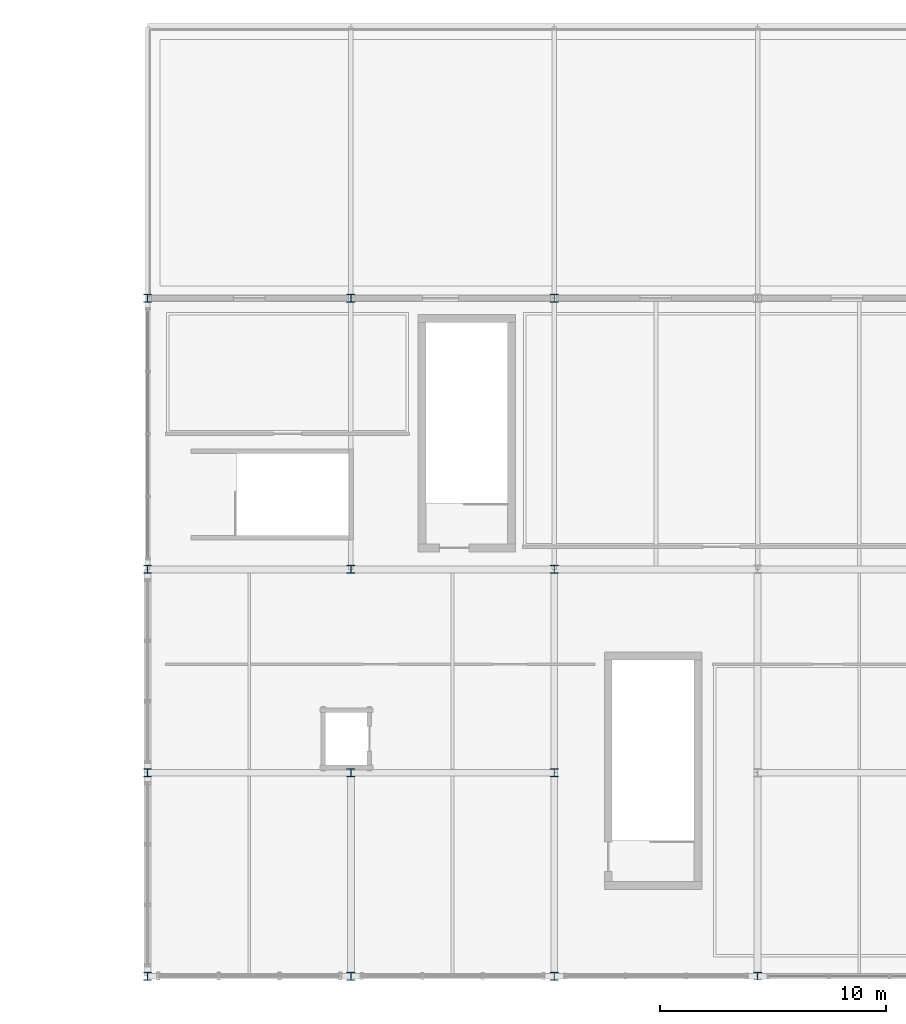
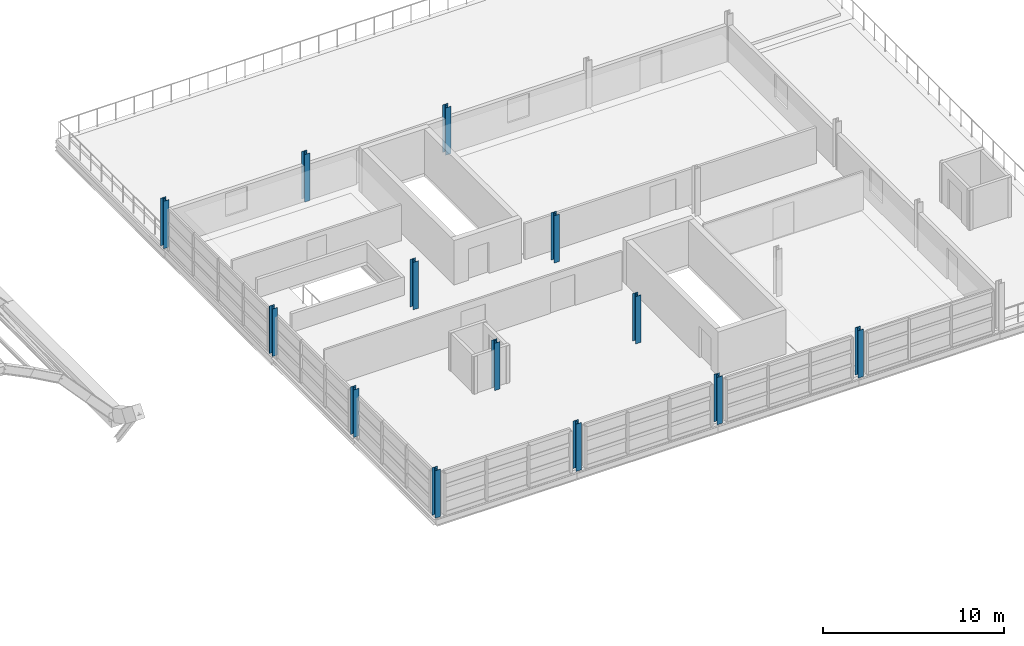
# One storey, part 2 of 86: 13 columns.
"""IFC4 building model written with IfcOpenShell, lengths in metres."""

from ifc_helpers import new_model, si_unit, direction, frame, origin, origin_2d, place, context, subcontext, project, spatial, i_section, extrude, material, material_profile, profile_set, type_object, element, save


model = new_model("IFC4")

# Units and contexts
model_context = context("Model", 3, precision=1e-05, world=origin(), true_north=direction((0.0, 1.0)))
body_context = subcontext(model_context, "Body", "Model", "MODEL_VIEW")
ifc_project = project(units=[si_unit("LENGTHUNIT", "METRE"), si_unit("AREAUNIT", "SQUARE_METRE"), si_unit("VOLUMEUNIT", "CUBIC_METRE"), si_unit("PLANEANGLEUNIT", "RADIAN"), si_unit("MASSUNIT", "GRAM", prefix="KILO")], contexts=[model_context])

# Site, building, storey
site_placement = place(None, origin())
site = spatial("IfcSite", under=ifc_project, at=site_placement, CompositionType="ELEMENT")
building_placement = place(site_placement, origin())
building = spatial("IfcBuilding", under=site, at=building_placement, Name="Chuanluo Vaults Station", CompositionType="ELEMENT")
storey_placement = place(building_placement, frame((0.0, 0.0, 14.39990234375)))
storey = spatial("IfcBuildingStorey", under=building, at=storey_placement, Name="L03", CompositionType="ELEMENT", Elevation=14.39990234375)

# Columns
ifc_material = material(Name="Steel Q355C", Category="steel")
ifc_material_profile = material_profile(ifc_material, i_section(OverallWidth=0.35009765625, OverallDepth=0.35009765625, WebThickness=0.011962890625, FlangeThickness=0.01904296875, FilletRadius=0.02001953125, at=origin_2d()))
ifc_profile_set = profile_set([ifc_material_profile], Name="Steel Q355C")
column_type = type_object("IfcColumnType", Name="COL-STL-HW350", PredefinedType="COLUMN", material=ifc_profile_set)
for number, where, z_axis, x_axis, name in (
    (1, (136.0, 0.0, 0.0), (0.0, 0.0, 1.0), (1.0, 0.0, 0.0), "Column L03-084"),
    (2, (136.0, 9.0, 0.0), (0.0, 0.0, 1.0), (1.0, 0.0, 0.0), "Column L03-085"),
    (3, (136.0, 18.0, 0.0), (0.0, 0.0, 1.0), (1.0, 0.0, 0.0), "Column L03-086"),
    (4, (136.0, 30.0, 0.0), (0.0, 0.0, 1.0), (1.0, 0.0, 0.0), "Column L03-087"),
    (5, (145.0, 0.0, 0.0), (0.0, 0.0, 1.0), (1.0, 0.0, 0.0), "Column L03-097"),
    (6, (145.0, 9.0, 0.0), (0.0, 0.0, 1.0), (1.0, 0.0, 0.0), "Column L03-098"),
    (7, (145.0, 18.0, 0.0), (0.0, 0.0, 1.0), (1.0, 0.0, 0.0), "Column L03-099"),
    (8, (145.0, 30.0, 0.0), (0.0, 0.0, 1.0), (1.0, 0.0, 0.0), "Column L03-100"),
    (9, (154.0, 0.0, 0.0), (0.0, 0.0, 1.0), (1.0, 0.0, 0.0), "Column L03-110"),
    (10, (154.0, 9.0, 0.0), (0.0, 0.0, 1.0), (1.0, 0.0, 0.0), "Column L03-111"),
    (11, (154.0, 18.0, 0.0), (0.0, 0.0, 1.0), (1.0, 0.0, 0.0), "Column L03-112"),
    (12, (154.0, 30.0, 0.0), (0.0, 0.0, 1.0), (1.0, 0.0, 0.0), "Column L03-113"),
    (13, (163.0, 0.0, 0.0), (0.0, 0.0, 1.0), (1.0, 0.0, 0.0), "Column L03-123"),
):
    element("IfcColumn", number, at=place(storey_placement, frame(where, z_axis=z_axis, x_axis=x_axis)), inside=storey, type_object=column_type, Name=name, PredefinedType="COLUMN", context=body_context, shape_type="SweptSolid", body=[
        extrude(i_section(OverallWidth=0.35009765625, OverallDepth=0.35009765625, WebThickness=0.011962890625, FlangeThickness=0.01904296875, FilletRadius=0.02001953125, at=origin_2d()), origin(), (0.0, 0.0, 1.0), 3.2001953125),
    ])

save(model, "model.ifc")
